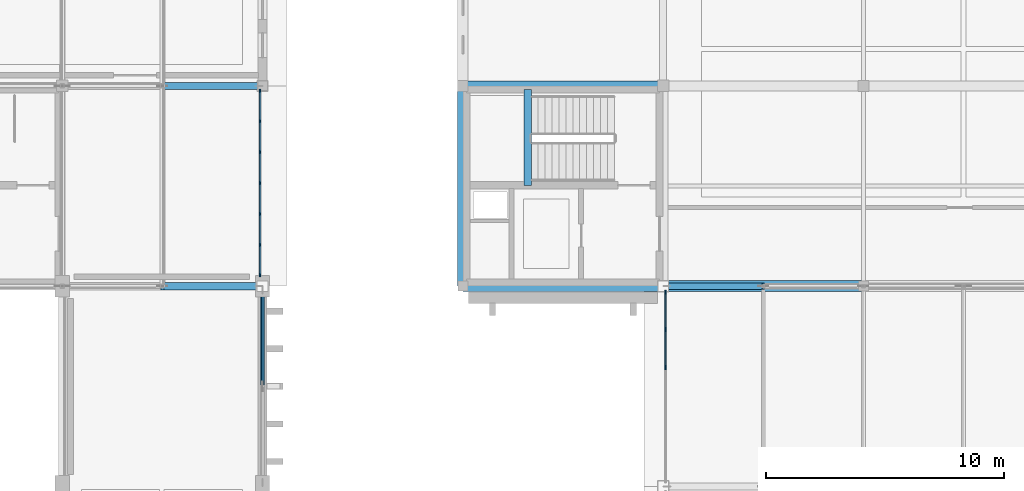
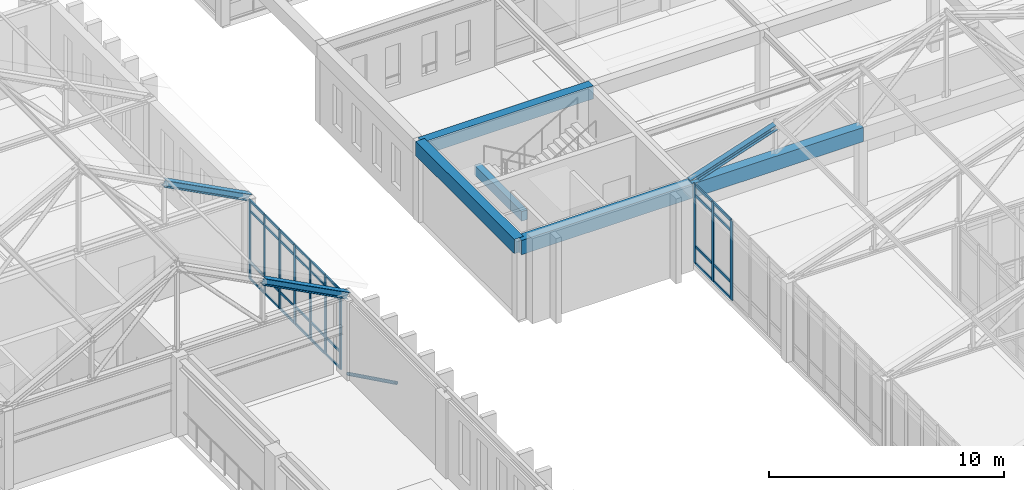
# One storey, part 81 of 192: 46 members, 5 beams, 2 elements without a shape of their own.
"""IFC4 building model written with IfcOpenShell, lengths in metres."""

from ifc_helpers import new_model, si_unit, direction, frame, origin, origin_2d, place, context, subcontext, project, spatial, rectangle, hollow_circle, i_section, extrude, material, layer, layer_set, material_profile, profile_set, type_object, element, aggregate, save


model = new_model("IFC4")

# Units and contexts
model_context = context("Model", 3, precision=1e-05, world=origin(), true_north=direction((0.0, 1.0)))
body_context = subcontext(model_context, "Body", "Model", "MODEL_VIEW")
ifc_project = project(units=[si_unit("LENGTHUNIT", "METRE"), si_unit("AREAUNIT", "SQUARE_METRE"), si_unit("VOLUMEUNIT", "CUBIC_METRE"), si_unit("PLANEANGLEUNIT", "RADIAN"), si_unit("MASSUNIT", "GRAM", prefix="KILO")], contexts=[model_context])

# Site, building, storey
site_placement = place(None, origin())
site = spatial("IfcSite", under=ifc_project, at=site_placement, CompositionType="ELEMENT")
building_placement = place(site_placement, origin())
building = spatial("IfcBuilding", under=site, at=building_placement, Name="Kveldsbrygga Polytechnic", CompositionType="ELEMENT")
storey_placement = place(building_placement, frame((0.0, 0.0, 5.43994140625)))
storey = spatial("IfcBuildingStorey", under=building, at=storey_placement, Name="L01", CompositionType="ELEMENT", Elevation=5.43994140625)

# Beams
ifc_material_1 = material(Name="Concrete C35/45", Category="concrete")
ifc_material_profile_1 = material_profile(ifc_material_1, rectangle(XDim=0.419921875, YDim=0.679931640625, at=origin_2d()), Name="RC 420x680")
ifc_profile_set_1 = profile_set([ifc_material_profile_1], Name="Concrete C35/45")
beam_type_1 = type_object("IfcBeamType", Name="BM-RC-420x680", PredefinedType="BEAM", material=ifc_profile_set_1)
beam_1_placement = place(storey_placement, frame((42.0, 92.39990234375, 3.780029296875), z_axis=(1.0, 0.0, 0.0), x_axis=(0.0, 1.0, 0.0)))
element("IfcBeam", 1, at=beam_1_placement, inside=storey, type_object=beam_type_1, Name="Primary Beam BMX-L01-05to06-11", PredefinedType="BEAM", context=body_context, shape_type="SweptSolid", body=[
    extrude(rectangle(XDim=0.419921875, YDim=0.679931640625, at=origin_2d()), origin(), (0.0, 0.0, 1.0), 8.39990234375),
])
ifc_material_profile_2 = material_profile(ifc_material_1, rectangle(XDim=0.449951171875, YDim=0.75, at=origin_2d()), Name="RC 450x750")
ifc_profile_set_2 = profile_set([ifc_material_profile_2], Name="Concrete C35/45")
beam_type_2 = type_object("IfcBeamType", Name="BM-RC-450x750", PredefinedType="BEAM", material=ifc_profile_set_2)
beam_2_placement = place(storey_placement, frame((42.0, 84.0, 3.7451171875), z_axis=(0.0, 1.0, 0.0), x_axis=(-1.0, 0.0, 0.0)))
element("IfcBeam", 2, at=beam_2_placement, inside=storey, type_object=beam_type_2, Name="Primary Beam BMY-L01-05-10to11", PredefinedType="BEAM", context=body_context, shape_type="SweptSolid", body=[
    extrude(rectangle(XDim=0.449951171875, YDim=0.75, at=origin_2d()), origin(), (0.0, 0.0, 1.0), 8.39990234375),
])
ifc_material_profile_3 = material_profile(ifc_material_1, rectangle(XDim=0.4599609375, YDim=0.739990234375, at=origin_2d()), Name="RC 460x740")
ifc_profile_set_3 = profile_set([ifc_material_profile_3], Name="Concrete C35/45")
beam_type_3 = type_object("IfcBeamType", Name="BM-RC-460x740", PredefinedType="BEAM", material=ifc_profile_set_3)
beam_3_placement = place(storey_placement, frame((42.0, 84.0, 3.75), z_axis=(1.0, 0.0, 0.0), x_axis=(0.0, 1.0, 0.0)))
element("IfcBeam", 3, at=beam_3_placement, inside=storey, type_object=beam_type_3, Name="Primary Beam BMX-L01-05to06-10", PredefinedType="BEAM", context=body_context, shape_type="SweptSolid", body=[
    extrude(rectangle(XDim=0.4599609375, YDim=0.739990234375, at=origin_2d()), origin(), (0.0, 0.0, 1.0), 8.39990234375),
])
beam_4_placement = place(storey_placement, frame((50.39990234375, 84.0, 3.75), z_axis=(1.0, 0.0, 0.0), x_axis=(0.0, 1.0, 0.0)))
element("IfcBeam", 4, at=beam_4_placement, inside=storey, type_object=beam_type_3, Name="Primary Beam BMX-L01-06to07-10", PredefinedType="BEAM", context=body_context, shape_type="SweptSolid", body=[
    extrude(rectangle(XDim=0.4599609375, YDim=0.739990234375, at=origin_2d()), origin(), (0.0, 0.0, 1.0), 8.400146484375),
])

# Member
ifc_material_2 = material(Name="Steel S355", Category="steel")
ifc_material_profile_4 = material_profile(ifc_material_2, hollow_circle(Radius=0.084228515625, WallThickness=0.010009765625, at=origin_2d()), Name="CHS 168.3x10.0")
ifc_profile_set_4 = profile_set([ifc_material_profile_4], Name="Steel S355")
member_type_1 = type_object("IfcMemberType", Name="BR-WIND-CHS168", PredefinedType="BRACE", material=ifc_profile_set_4)
member_1_placement = place(storey_placement, frame((33.60009765625, 84.0, 0.0), z_axis=(0.0, -0.897806877292, 0.440389385756), x_axis=(1.0, 0.0, 0.0)))
element("IfcMember", 5, at=member_1_placement, inside=storey, type_object=member_type_1, Name="Workshop Portal Split Brace VBR-L01-E-9-B1", PredefinedType="BRACE", context=body_context, shape_type="SweptSolid", body=[
    extrude(hollow_circle(Radius=0.084228515625, WallThickness=0.010009765625, at=origin_2d()), origin(), (0.0, 0.0, 1.0), 4.587890625),
])

# Curtain wall, members
ifc_material_3 = material(Name="Anodised aluminium AW-6060", Category="aluminium")
ifc_layer_1 = layer(ifc_material_3, 0.179931640625)
ifc_layer_set_1 = layer_set([ifc_layer_1], Name="Anodised aluminium AW-6060")
curtain_wall_type_1 = type_object("IfcCurtainWallType", Name="CW-CONC-A", PredefinedType="USERDEFINED", material=ifc_layer_set_1)
curtain_wall_1_placement = place(storey_placement, origin())
curtain_wall_1 = element("IfcCurtainWall", 6, at=curtain_wall_1_placement, inside=storey, type_object=curtain_wall_type_1, Name="Curtain Wall CW-L01-Y-04-10", ObjectType="UNITISED CURTAIN WALL", PredefinedType="USERDEFINED")
ifc_material_profile_5 = material_profile(ifc_material_3, rectangle(XDim=0.06005859375, YDim=0.139892578125, at=origin_2d()), Name="ALU 60x140")
ifc_profile_set_5 = profile_set([ifc_material_profile_5], Name="Anodised aluminium AW-6060")
member_type_2 = type_object("IfcMemberType", Name="CW-MUL-140", PredefinedType="MULLION", material=ifc_profile_set_5)
member_2_placement = place(storey_placement, frame((33.5, 84.465087890625, 0.0), z_axis=(0.0, 0.0, 1.0), x_axis=(-1.0, 0.0, 0.0)))
member_2 = element("IfcMember", 7, at=member_2_placement, type_object=member_type_2, Name="CW-01 mullion 1", PredefinedType="MULLION", context=body_context, shape_type="SweptSolid", body=[
    extrude(rectangle(XDim=0.06005859375, YDim=0.139892578125, at=origin_2d()), origin(), (0.0, 0.0, 1.0), 4.1201171875),
])
member_3_placement = place(storey_placement, frame((33.5, 85.731689453125, 0.0), z_axis=(0.0, 0.0, 1.0), x_axis=(-1.0, 0.0, 0.0)))
member_3 = element("IfcMember", 8, at=member_3_placement, type_object=member_type_2, Name="CW-01 mullion 2", PredefinedType="MULLION", context=body_context, shape_type="SweptSolid", body=[
    extrude(rectangle(XDim=0.06005859375, YDim=0.139892578125, at=origin_2d()), origin(), (0.0, 0.0, 1.0), 4.1201171875),
])
member_4_placement = place(storey_placement, frame((33.5, 87.0283203125, 0.0), z_axis=(0.0, 0.0, 1.0), x_axis=(-1.0, 0.0, 0.0)))
member_4 = element("IfcMember", 9, at=member_4_placement, type_object=member_type_2, Name="CW-01 mullion 3", PredefinedType="MULLION", context=body_context, shape_type="SweptSolid", body=[
    extrude(rectangle(XDim=0.06005859375, YDim=0.139892578125, at=origin_2d()), origin(), (0.0, 0.0, 1.0), 4.1201171875),
])
member_5_placement = place(storey_placement, frame((33.5, 88.324951171875, 0.0), z_axis=(0.0, 0.0, 1.0), x_axis=(-1.0, 0.0, 0.0)))
member_5 = element("IfcMember", 10, at=member_5_placement, type_object=member_type_2, Name="CW-01 mullion 4", PredefinedType="MULLION", context=body_context, shape_type="SweptSolid", body=[
    extrude(rectangle(XDim=0.06005859375, YDim=0.139892578125, at=origin_2d()), origin(), (0.0, 0.0, 1.0), 4.1201171875),
])
member_6_placement = place(storey_placement, frame((33.5, 89.62158203125, 0.0), z_axis=(0.0, 0.0, 1.0), x_axis=(-1.0, 0.0, 0.0)))
member_6 = element("IfcMember", 11, at=member_6_placement, type_object=member_type_2, Name="CW-01 mullion 5", PredefinedType="MULLION", context=body_context, shape_type="SweptSolid", body=[
    extrude(rectangle(XDim=0.06005859375, YDim=0.139892578125, at=origin_2d()), origin(), (0.0, 0.0, 1.0), 4.1201171875),
])
member_7_placement = place(storey_placement, frame((33.5, 90.918212890625, 0.0), z_axis=(0.0, 0.0, 1.0), x_axis=(-1.0, 0.0, 0.0)))
member_7 = element("IfcMember", 12, at=member_7_placement, type_object=member_type_2, Name="CW-01 mullion 6", PredefinedType="MULLION", context=body_context, shape_type="SweptSolid", body=[
    extrude(rectangle(XDim=0.06005859375, YDim=0.139892578125, at=origin_2d()), origin(), (0.0, 0.0, 1.0), 4.1201171875),
])
member_8_placement = place(storey_placement, frame((33.5, 92.18505859375, 0.0), z_axis=(0.0, 0.0, 1.0), x_axis=(-1.0, 0.0, 0.0)))
member_8 = element("IfcMember", 13, at=member_8_placement, type_object=member_type_2, Name="CW-01 mullion 7", PredefinedType="MULLION", context=body_context, shape_type="SweptSolid", body=[
    extrude(rectangle(XDim=0.06005859375, YDim=0.139892578125, at=origin_2d()), origin(), (0.0, 0.0, 1.0), 4.1201171875),
])

ifc_layer_2 = layer(ifc_material_3, 0.199951171875)
ifc_layer_set_2 = layer_set([ifc_layer_2], Name="Anodised aluminium AW-6060")
curtain_wall_type_2 = type_object("IfcCurtainWallType", Name="CW-CONC-B", PredefinedType="USERDEFINED", material=ifc_layer_set_2)
curtain_wall_2_placement = place(storey_placement, origin())
curtain_wall_2 = element("IfcCurtainWall", 14, at=curtain_wall_2_placement, inside=storey, type_object=curtain_wall_type_2, Name="Curtain Wall CW-L01-Y-06-09", ObjectType="UNITISED CURTAIN WALL", PredefinedType="USERDEFINED")
ifc_material_profile_6 = material_profile(ifc_material_3, rectangle(XDim=0.06005859375, YDim=0.179931640625, at=origin_2d()), Name="ALU 60x180")
ifc_profile_set_6 = profile_set([ifc_material_profile_6], Name="Anodised aluminium AW-6060")
member_type_3 = type_object("IfcMemberType", Name="CW-MUL-180", PredefinedType="MULLION", material=ifc_profile_set_6)
member_9_placement = place(storey_placement, frame((50.5, 80.594970703125, 0.0), z_axis=(0.0, 0.0, 1.0), x_axis=(-1.0, 0.0, 0.0)))
member_9 = element("IfcMember", 15, at=member_9_placement, type_object=member_type_3, Name="CW-02 mullion 4", PredefinedType="MULLION", context=body_context, shape_type="SweptSolid", body=[
    extrude(rectangle(XDim=0.06005859375, YDim=0.179931640625, at=origin_2d()), origin(), (0.0, 0.0, 1.0), 4.1201171875),
])
member_10_placement = place(storey_placement, frame((50.5, 82.18505859375, 0.0), z_axis=(0.0, 0.0, 1.0), x_axis=(-1.0, 0.0, 0.0)))
member_10 = element("IfcMember", 16, at=member_10_placement, type_object=member_type_3, Name="CW-02 mullion 5", PredefinedType="MULLION", context=body_context, shape_type="SweptSolid", body=[
    extrude(rectangle(XDim=0.06005859375, YDim=0.179931640625, at=origin_2d()), origin(), (0.0, 0.0, 1.0), 4.1201171875),
])
member_11_placement = place(storey_placement, frame((50.5, 83.7451171875, 0.0), z_axis=(0.0, 0.0, 1.0), x_axis=(-1.0, 0.0, 0.0)))
member_11 = element("IfcMember", 17, at=member_11_placement, type_object=member_type_3, Name="CW-02 mullion 6", PredefinedType="MULLION", context=body_context, shape_type="SweptSolid", body=[
    extrude(rectangle(XDim=0.06005859375, YDim=0.179931640625, at=origin_2d()), origin(), (0.0, 0.0, 1.0), 4.1201171875),
])

# Member
ifc_material_profile_7 = material_profile(ifc_material_3, rectangle(XDim=0.06005859375, YDim=0.1201171875, at=origin_2d()), Name="ALU 60x120")
ifc_profile_set_7 = profile_set([ifc_material_profile_7], Name="Anodised aluminium AW-6060")
member_type_4 = type_object("IfcMemberType", Name="CW-TRN-120", PredefinedType="USERDEFINED", material=ifc_profile_set_7)
member_12_placement = place(storey_placement, frame((33.5, 84.4951171875, 0.030029296875), z_axis=(0.0, 1.0, 0.0), x_axis=(-1.0, 0.0, 0.0)))
member_12 = element("IfcMember", 18, at=member_12_placement, type_object=member_type_4, Name="CW-01 transom 1.1", ObjectType="TRANSOM", PredefinedType="USERDEFINED", context=body_context, shape_type="SweptSolid", body=[
    extrude(rectangle(XDim=0.06005859375, YDim=0.1201171875, at=origin_2d()), origin(), (0.0, 0.0, 1.0), 1.20654296875),
])

member_13_placement = place(storey_placement, frame((33.5, 84.4951171875, 0.900146484375), z_axis=(0.0, 1.0, 0.0), x_axis=(-1.0, 0.0, 0.0)))
member_13 = element("IfcMember", 19, at=member_13_placement, type_object=member_type_4, Name="CW-01 transom 1.2", ObjectType="TRANSOM", PredefinedType="USERDEFINED", context=body_context, shape_type="SweptSolid", body=[
    extrude(rectangle(XDim=0.06005859375, YDim=0.1201171875, at=origin_2d()), origin(), (0.0, 0.0, 1.0), 1.20654296875),
])

member_14_placement = place(storey_placement, frame((33.5, 84.4951171875, 3.570068359375), z_axis=(0.0, 1.0, 0.0), x_axis=(-1.0, 0.0, 0.0)))
member_14 = element("IfcMember", 20, at=member_14_placement, type_object=member_type_4, Name="CW-01 transom 1.3", ObjectType="TRANSOM", PredefinedType="USERDEFINED", context=body_context, shape_type="SweptSolid", body=[
    extrude(rectangle(XDim=0.06005859375, YDim=0.1201171875, at=origin_2d()), origin(), (0.0, 0.0, 1.0), 1.20654296875),
])

member_15_placement = place(storey_placement, frame((33.5, 84.4951171875, 4.090087890625), z_axis=(0.0, 1.0, 0.0), x_axis=(-1.0, 0.0, 0.0)))
member_15 = element("IfcMember", 21, at=member_15_placement, type_object=member_type_4, Name="CW-01 transom 1.4", ObjectType="TRANSOM", PredefinedType="USERDEFINED", context=body_context, shape_type="SweptSolid", body=[
    extrude(rectangle(XDim=0.06005859375, YDim=0.1201171875, at=origin_2d()), origin(), (0.0, 0.0, 1.0), 1.20654296875),
])

member_16_placement = place(storey_placement, frame((33.5, 85.76171875, 0.030029296875), z_axis=(0.0, 1.0, 0.0), x_axis=(-1.0, 0.0, 0.0)))
member_16 = element("IfcMember", 22, at=member_16_placement, type_object=member_type_4, Name="CW-01 transom 2.1", ObjectType="TRANSOM", PredefinedType="USERDEFINED", context=body_context, shape_type="SweptSolid", body=[
    extrude(rectangle(XDim=0.06005859375, YDim=0.1201171875, at=origin_2d()), origin(), (0.0, 0.0, 1.0), 1.236572265625),
])

member_17_placement = place(storey_placement, frame((33.5, 85.76171875, 0.900146484375), z_axis=(0.0, 1.0, 0.0), x_axis=(-1.0, 0.0, 0.0)))
member_17 = element("IfcMember", 23, at=member_17_placement, type_object=member_type_4, Name="CW-01 transom 2.2", ObjectType="TRANSOM", PredefinedType="USERDEFINED", context=body_context, shape_type="SweptSolid", body=[
    extrude(rectangle(XDim=0.06005859375, YDim=0.1201171875, at=origin_2d()), origin(), (0.0, 0.0, 1.0), 1.236572265625),
])

member_18_placement = place(storey_placement, frame((33.5, 85.76171875, 3.570068359375), z_axis=(0.0, 1.0, 0.0), x_axis=(-1.0, 0.0, 0.0)))
member_18 = element("IfcMember", 24, at=member_18_placement, type_object=member_type_4, Name="CW-01 transom 2.3", ObjectType="TRANSOM", PredefinedType="USERDEFINED", context=body_context, shape_type="SweptSolid", body=[
    extrude(rectangle(XDim=0.06005859375, YDim=0.1201171875, at=origin_2d()), origin(), (0.0, 0.0, 1.0), 1.236572265625),
])

member_19_placement = place(storey_placement, frame((33.5, 85.76171875, 4.090087890625), z_axis=(0.0, 1.0, 0.0), x_axis=(-1.0, 0.0, 0.0)))
member_19 = element("IfcMember", 25, at=member_19_placement, type_object=member_type_4, Name="CW-01 transom 2.4", ObjectType="TRANSOM", PredefinedType="USERDEFINED", context=body_context, shape_type="SweptSolid", body=[
    extrude(rectangle(XDim=0.06005859375, YDim=0.1201171875, at=origin_2d()), origin(), (0.0, 0.0, 1.0), 1.236572265625),
])

member_20_placement = place(storey_placement, frame((33.5, 87.058349609375, 0.030029296875), z_axis=(0.0, 1.0, 0.0), x_axis=(-1.0, 0.0, 0.0)))
member_20 = element("IfcMember", 26, at=member_20_placement, type_object=member_type_4, Name="CW-01 transom 3.1", ObjectType="TRANSOM", PredefinedType="USERDEFINED", context=body_context, shape_type="SweptSolid", body=[
    extrude(rectangle(XDim=0.06005859375, YDim=0.1201171875, at=origin_2d()), origin(), (0.0, 0.0, 1.0), 1.236572265625),
])

member_21_placement = place(storey_placement, frame((33.5, 87.058349609375, 0.900146484375), z_axis=(0.0, 1.0, 0.0), x_axis=(-1.0, 0.0, 0.0)))
member_21 = element("IfcMember", 27, at=member_21_placement, type_object=member_type_4, Name="CW-01 transom 3.2", ObjectType="TRANSOM", PredefinedType="USERDEFINED", context=body_context, shape_type="SweptSolid", body=[
    extrude(rectangle(XDim=0.06005859375, YDim=0.1201171875, at=origin_2d()), origin(), (0.0, 0.0, 1.0), 1.236572265625),
])

member_22_placement = place(storey_placement, frame((33.5, 87.058349609375, 3.570068359375), z_axis=(0.0, 1.0, 0.0), x_axis=(-1.0, 0.0, 0.0)))
member_22 = element("IfcMember", 28, at=member_22_placement, type_object=member_type_4, Name="CW-01 transom 3.3", ObjectType="TRANSOM", PredefinedType="USERDEFINED", context=body_context, shape_type="SweptSolid", body=[
    extrude(rectangle(XDim=0.06005859375, YDim=0.1201171875, at=origin_2d()), origin(), (0.0, 0.0, 1.0), 1.236572265625),
])

member_23_placement = place(storey_placement, frame((33.5, 87.058349609375, 4.090087890625), z_axis=(0.0, 1.0, 0.0), x_axis=(-1.0, 0.0, 0.0)))
member_23 = element("IfcMember", 29, at=member_23_placement, type_object=member_type_4, Name="CW-01 transom 3.4", ObjectType="TRANSOM", PredefinedType="USERDEFINED", context=body_context, shape_type="SweptSolid", body=[
    extrude(rectangle(XDim=0.06005859375, YDim=0.1201171875, at=origin_2d()), origin(), (0.0, 0.0, 1.0), 1.236572265625),
])

member_24_placement = place(storey_placement, frame((33.5, 88.35498046875, 0.030029296875), z_axis=(0.0, 1.0, 0.0), x_axis=(-1.0, 0.0, 0.0)))
member_24 = element("IfcMember", 30, at=member_24_placement, type_object=member_type_4, Name="CW-01 transom 4.1", ObjectType="TRANSOM", PredefinedType="USERDEFINED", context=body_context, shape_type="SweptSolid", body=[
    extrude(rectangle(XDim=0.06005859375, YDim=0.1201171875, at=origin_2d()), origin(), (0.0, 0.0, 1.0), 1.236572265625),
])

member_25_placement = place(storey_placement, frame((33.5, 88.35498046875, 0.900146484375), z_axis=(0.0, 1.0, 0.0), x_axis=(-1.0, 0.0, 0.0)))
member_25 = element("IfcMember", 31, at=member_25_placement, type_object=member_type_4, Name="CW-01 transom 4.2", ObjectType="TRANSOM", PredefinedType="USERDEFINED", context=body_context, shape_type="SweptSolid", body=[
    extrude(rectangle(XDim=0.06005859375, YDim=0.1201171875, at=origin_2d()), origin(), (0.0, 0.0, 1.0), 1.236572265625),
])

member_26_placement = place(storey_placement, frame((33.5, 88.35498046875, 3.570068359375), z_axis=(0.0, 1.0, 0.0), x_axis=(-1.0, 0.0, 0.0)))
member_26 = element("IfcMember", 32, at=member_26_placement, type_object=member_type_4, Name="CW-01 transom 4.3", ObjectType="TRANSOM", PredefinedType="USERDEFINED", context=body_context, shape_type="SweptSolid", body=[
    extrude(rectangle(XDim=0.06005859375, YDim=0.1201171875, at=origin_2d()), origin(), (0.0, 0.0, 1.0), 1.236572265625),
])

member_27_placement = place(storey_placement, frame((33.5, 88.35498046875, 4.090087890625), z_axis=(0.0, 1.0, 0.0), x_axis=(-1.0, 0.0, 0.0)))
member_27 = element("IfcMember", 33, at=member_27_placement, type_object=member_type_4, Name="CW-01 transom 4.4", ObjectType="TRANSOM", PredefinedType="USERDEFINED", context=body_context, shape_type="SweptSolid", body=[
    extrude(rectangle(XDim=0.06005859375, YDim=0.1201171875, at=origin_2d()), origin(), (0.0, 0.0, 1.0), 1.236572265625),
])

member_28_placement = place(storey_placement, frame((33.5, 89.651611328125, 0.030029296875), z_axis=(0.0, 1.0, 0.0), x_axis=(-1.0, 0.0, 0.0)))
member_28 = element("IfcMember", 34, at=member_28_placement, type_object=member_type_4, Name="CW-01 transom 5.1", ObjectType="TRANSOM", PredefinedType="USERDEFINED", context=body_context, shape_type="SweptSolid", body=[
    extrude(rectangle(XDim=0.06005859375, YDim=0.1201171875, at=origin_2d()), origin(), (0.0, 0.0, 1.0), 1.23681640625),
])

member_29_placement = place(storey_placement, frame((33.5, 89.651611328125, 0.900146484375), z_axis=(0.0, 1.0, 0.0), x_axis=(-1.0, 0.0, 0.0)))
member_29 = element("IfcMember", 35, at=member_29_placement, type_object=member_type_4, Name="CW-01 transom 5.2", ObjectType="TRANSOM", PredefinedType="USERDEFINED", context=body_context, shape_type="SweptSolid", body=[
    extrude(rectangle(XDim=0.06005859375, YDim=0.1201171875, at=origin_2d()), origin(), (0.0, 0.0, 1.0), 1.23681640625),
])

member_30_placement = place(storey_placement, frame((33.5, 89.651611328125, 3.570068359375), z_axis=(0.0, 1.0, 0.0), x_axis=(-1.0, 0.0, 0.0)))
member_30 = element("IfcMember", 36, at=member_30_placement, type_object=member_type_4, Name="CW-01 transom 5.3", ObjectType="TRANSOM", PredefinedType="USERDEFINED", context=body_context, shape_type="SweptSolid", body=[
    extrude(rectangle(XDim=0.06005859375, YDim=0.1201171875, at=origin_2d()), origin(), (0.0, 0.0, 1.0), 1.23681640625),
])

member_31_placement = place(storey_placement, frame((33.5, 89.651611328125, 4.090087890625), z_axis=(0.0, 1.0, 0.0), x_axis=(-1.0, 0.0, 0.0)))
member_31 = element("IfcMember", 37, at=member_31_placement, type_object=member_type_4, Name="CW-01 transom 5.4", ObjectType="TRANSOM", PredefinedType="USERDEFINED", context=body_context, shape_type="SweptSolid", body=[
    extrude(rectangle(XDim=0.06005859375, YDim=0.1201171875, at=origin_2d()), origin(), (0.0, 0.0, 1.0), 1.23681640625),
])

member_32_placement = place(storey_placement, frame((33.5, 90.9482421875, 0.030029296875), z_axis=(0.0, 1.0, 0.0), x_axis=(-1.0, 0.0, 0.0)))
member_32 = element("IfcMember", 38, at=member_32_placement, type_object=member_type_4, Name="CW-01 transom 6.1", ObjectType="TRANSOM", PredefinedType="USERDEFINED", context=body_context, shape_type="SweptSolid", body=[
    extrude(rectangle(XDim=0.06005859375, YDim=0.1201171875, at=origin_2d()), origin(), (0.0, 0.0, 1.0), 1.206787109375),
])

member_33_placement = place(storey_placement, frame((33.5, 90.9482421875, 0.900146484375), z_axis=(0.0, 1.0, 0.0), x_axis=(-1.0, 0.0, 0.0)))
member_33 = element("IfcMember", 39, at=member_33_placement, type_object=member_type_4, Name="CW-01 transom 6.2", ObjectType="TRANSOM", PredefinedType="USERDEFINED", context=body_context, shape_type="SweptSolid", body=[
    extrude(rectangle(XDim=0.06005859375, YDim=0.1201171875, at=origin_2d()), origin(), (0.0, 0.0, 1.0), 1.206787109375),
])

member_34_placement = place(storey_placement, frame((33.5, 90.9482421875, 3.570068359375), z_axis=(0.0, 1.0, 0.0), x_axis=(-1.0, 0.0, 0.0)))
member_34 = element("IfcMember", 40, at=member_34_placement, type_object=member_type_4, Name="CW-01 transom 6.3", ObjectType="TRANSOM", PredefinedType="USERDEFINED", context=body_context, shape_type="SweptSolid", body=[
    extrude(rectangle(XDim=0.06005859375, YDim=0.1201171875, at=origin_2d()), origin(), (0.0, 0.0, 1.0), 1.206787109375),
])

member_35_placement = place(storey_placement, frame((33.5, 90.9482421875, 4.090087890625), z_axis=(0.0, 1.0, 0.0), x_axis=(-1.0, 0.0, 0.0)))
member_35 = element("IfcMember", 41, at=member_35_placement, type_object=member_type_4, Name="CW-01 transom 6.4", ObjectType="TRANSOM", PredefinedType="USERDEFINED", context=body_context, shape_type="SweptSolid", body=[
    extrude(rectangle(XDim=0.06005859375, YDim=0.1201171875, at=origin_2d()), origin(), (0.0, 0.0, 1.0), 1.206787109375),
])

aggregate(curtain_wall_1, [member_2, member_3, member_4, member_5, member_6, member_7, member_8, member_12, member_13, member_14, member_15, member_16, member_17, member_18, member_19, member_20, member_21, member_22, member_23, member_24, member_25, member_26, member_27, member_28, member_29, member_30, member_31, member_32, member_33, member_34, member_35])

ifc_material_profile_8 = material_profile(ifc_material_3, rectangle(XDim=0.06005859375, YDim=0.14990234375, at=origin_2d()), Name="ALU 60x150")
ifc_profile_set_8 = profile_set([ifc_material_profile_8], Name="Anodised aluminium AW-6060")
member_type_5 = type_object("IfcMemberType", Name="CW-TRN-150", PredefinedType="USERDEFINED", material=ifc_profile_set_8)
member_36_placement = place(storey_placement, frame((50.5, 80.625, 0.030029296875), z_axis=(0.0, 1.0, 0.0), x_axis=(-1.0, 0.0, 0.0)))
member_36 = element("IfcMember", 42, at=member_36_placement, type_object=member_type_5, Name="CW-02 transom 4.1", ObjectType="TRANSOM", PredefinedType="USERDEFINED", context=body_context, shape_type="SweptSolid", body=[
    extrude(rectangle(XDim=0.06005859375, YDim=0.14990234375, at=origin_2d()), origin(), (0.0, 0.0, 1.0), 1.530029296875),
])

member_37_placement = place(storey_placement, frame((50.5, 80.625, 0.900146484375), z_axis=(0.0, 1.0, 0.0), x_axis=(-1.0, 0.0, 0.0)))
member_37 = element("IfcMember", 43, at=member_37_placement, type_object=member_type_5, Name="CW-02 transom 4.2", ObjectType="TRANSOM", PredefinedType="USERDEFINED", context=body_context, shape_type="SweptSolid", body=[
    extrude(rectangle(XDim=0.06005859375, YDim=0.14990234375, at=origin_2d()), origin(), (0.0, 0.0, 1.0), 1.530029296875),
])

member_38_placement = place(storey_placement, frame((50.5, 80.625, 3.570068359375), z_axis=(0.0, 1.0, 0.0), x_axis=(-1.0, 0.0, 0.0)))
member_38 = element("IfcMember", 44, at=member_38_placement, type_object=member_type_5, Name="CW-02 transom 4.3", ObjectType="TRANSOM", PredefinedType="USERDEFINED", context=body_context, shape_type="SweptSolid", body=[
    extrude(rectangle(XDim=0.06005859375, YDim=0.14990234375, at=origin_2d()), origin(), (0.0, 0.0, 1.0), 1.530029296875),
])

member_39_placement = place(storey_placement, frame((50.5, 80.625, 4.090087890625), z_axis=(0.0, 1.0, 0.0), x_axis=(-1.0, 0.0, 0.0)))
member_39 = element("IfcMember", 45, at=member_39_placement, type_object=member_type_5, Name="CW-02 transom 4.4", ObjectType="TRANSOM", PredefinedType="USERDEFINED", context=body_context, shape_type="SweptSolid", body=[
    extrude(rectangle(XDim=0.06005859375, YDim=0.14990234375, at=origin_2d()), origin(), (0.0, 0.0, 1.0), 1.530029296875),
])

member_40_placement = place(storey_placement, frame((50.5, 82.215087890625, 0.030029296875), z_axis=(0.0, 1.0, 0.0), x_axis=(-1.0, 0.0, 0.0)))
member_40 = element("IfcMember", 46, at=member_40_placement, type_object=member_type_5, Name="CW-02 transom 5.1", ObjectType="TRANSOM", PredefinedType="USERDEFINED", context=body_context, shape_type="SweptSolid", body=[
    extrude(rectangle(XDim=0.06005859375, YDim=0.14990234375, at=origin_2d()), origin(), (0.0, 0.0, 1.0), 1.5),
])

member_41_placement = place(storey_placement, frame((50.5, 82.215087890625, 0.900146484375), z_axis=(0.0, 1.0, 0.0), x_axis=(-1.0, 0.0, 0.0)))
member_41 = element("IfcMember", 47, at=member_41_placement, type_object=member_type_5, Name="CW-02 transom 5.2", ObjectType="TRANSOM", PredefinedType="USERDEFINED", context=body_context, shape_type="SweptSolid", body=[
    extrude(rectangle(XDim=0.06005859375, YDim=0.14990234375, at=origin_2d()), origin(), (0.0, 0.0, 1.0), 1.5),
])

member_42_placement = place(storey_placement, frame((50.5, 82.215087890625, 3.570068359375), z_axis=(0.0, 1.0, 0.0), x_axis=(-1.0, 0.0, 0.0)))
member_42 = element("IfcMember", 48, at=member_42_placement, type_object=member_type_5, Name="CW-02 transom 5.3", ObjectType="TRANSOM", PredefinedType="USERDEFINED", context=body_context, shape_type="SweptSolid", body=[
    extrude(rectangle(XDim=0.06005859375, YDim=0.14990234375, at=origin_2d()), origin(), (0.0, 0.0, 1.0), 1.5),
])

member_43_placement = place(storey_placement, frame((50.5, 82.215087890625, 4.090087890625), z_axis=(0.0, 1.0, 0.0), x_axis=(-1.0, 0.0, 0.0)))
member_43 = element("IfcMember", 49, at=member_43_placement, type_object=member_type_5, Name="CW-02 transom 5.4", ObjectType="TRANSOM", PredefinedType="USERDEFINED", context=body_context, shape_type="SweptSolid", body=[
    extrude(rectangle(XDim=0.06005859375, YDim=0.14990234375, at=origin_2d()), origin(), (0.0, 0.0, 1.0), 1.5),
])

aggregate(curtain_wall_2, [member_9, member_10, member_11, member_36, member_37, member_38, member_39, member_40, member_41, member_42, member_43])

# Beam
ifc_material_profile_9 = material_profile(ifc_material_1, rectangle(XDim=0.300048828125, YDim=0.5, at=origin_2d()), Name="RC 300x500")
ifc_profile_set_9 = profile_set([ifc_material_profile_9], Name="Concrete C35/45")
beam_type_4 = type_object("IfcBeamType", Name="LNT-RC-300x500", PredefinedType="LINTEL", material=ifc_profile_set_9)
beam_5_placement = place(storey_placement, frame((44.719970703125, 88.22998046875, 1.760009765625), z_axis=(0.0, 1.0, 0.0), x_axis=(-1.0, 0.0, 0.0)))
element("IfcBeam", 50, at=beam_5_placement, inside=storey, type_object=beam_type_4, Name="Stair Landing Support Beam C7-L01-LNDB-1-1", PredefinedType="LINTEL", context=body_context, shape_type="SweptSolid", body=[
    extrude(rectangle(XDim=0.300048828125, YDim=0.5, at=origin_2d()), origin(), (0.0, 0.0, 1.0), 4.02001953125),
])

# Members
ifc_material_profile_10 = material_profile(ifc_material_2, i_section(OverallWidth=0.300048828125, OverallDepth=0.330078125, WebThickness=0.009521484375, FlangeThickness=0.0166015625, FilletRadius=0.027099609375, at=origin_2d()), Name="HEA 340")
ifc_profile_set_10 = profile_set([ifc_material_profile_10], Name="Steel S355")
member_type_6 = type_object("IfcMemberType", Name="TR-TOP-HEA340", PredefinedType="CHORD", material=ifc_profile_set_10)
for number, where, z_axis, x_axis, name in (
    (51, (29.39990234375, 84.0, 6.320068359375), (0.885844636633, 0.0, -0.463981982138), (0.0, 1.0, 0.0), "Truss Top Chord V1N2-T01-TC-4"),
    (52, (29.39990234375, 92.39990234375, 6.320068359375), (0.885844636633, 0.0, -0.463981982138), (0.0, 1.0, 0.0), "Truss Top Chord V1N2-T02-TC-4"),
):
    element("IfcMember", number, at=place(storey_placement, frame(where, z_axis=z_axis, x_axis=x_axis)), inside=storey, type_object=member_type_6, Name=name, PredefinedType="CHORD", context=body_context, shape_type="SweptSolid", body=[
        extrude(i_section(OverallWidth=0.300048828125, OverallDepth=0.330078125, WebThickness=0.009521484375, FlangeThickness=0.0166015625, FilletRadius=0.027099609375, at=origin_2d()), origin(), (0.0, 0.0, 1.0), 4.741455078125),
    ])
ifc_material_profile_11 = material_profile(ifc_material_2, i_section(OverallWidth=0.280029296875, OverallDepth=0.280029296875, WebThickness=0.010498046875, FlangeThickness=0.01806640625, FilletRadius=0.02392578125, at=origin_2d()), Name="HEB 280")
ifc_profile_set_11 = profile_set([ifc_material_profile_11], Name="Steel S355")
member_type_7 = type_object("IfcMemberType", Name="TR-TOP-HEB280", PredefinedType="CHORD", material=ifc_profile_set_11)
member_44_placement = place(storey_placement, frame((50.39990234375, 84.0, 4.1201171875), z_axis=(0.948694326238, 0.0, 0.316194679531), x_axis=(0.0, 1.0, 0.0)))
element("IfcMember", 53, at=member_44_placement, inside=storey, type_object=member_type_7, Name="Truss Top Chord V5C-T10-TC-1", PredefinedType="CHORD", context=body_context, shape_type="SweptSolid", body=[
    extrude(i_section(OverallWidth=0.280029296875, OverallDepth=0.280029296875, WebThickness=0.010498046875, FlangeThickness=0.01806640625, FilletRadius=0.02392578125, at=origin_2d()), origin(), (0.0, 0.0, 1.0), 4.42724609375),
])

save(model, "model.ifc")
